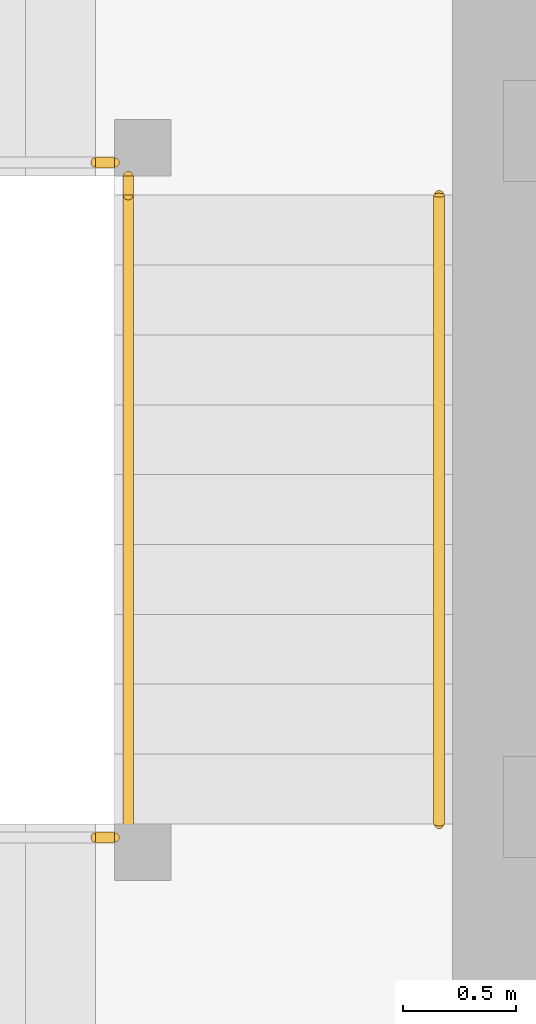
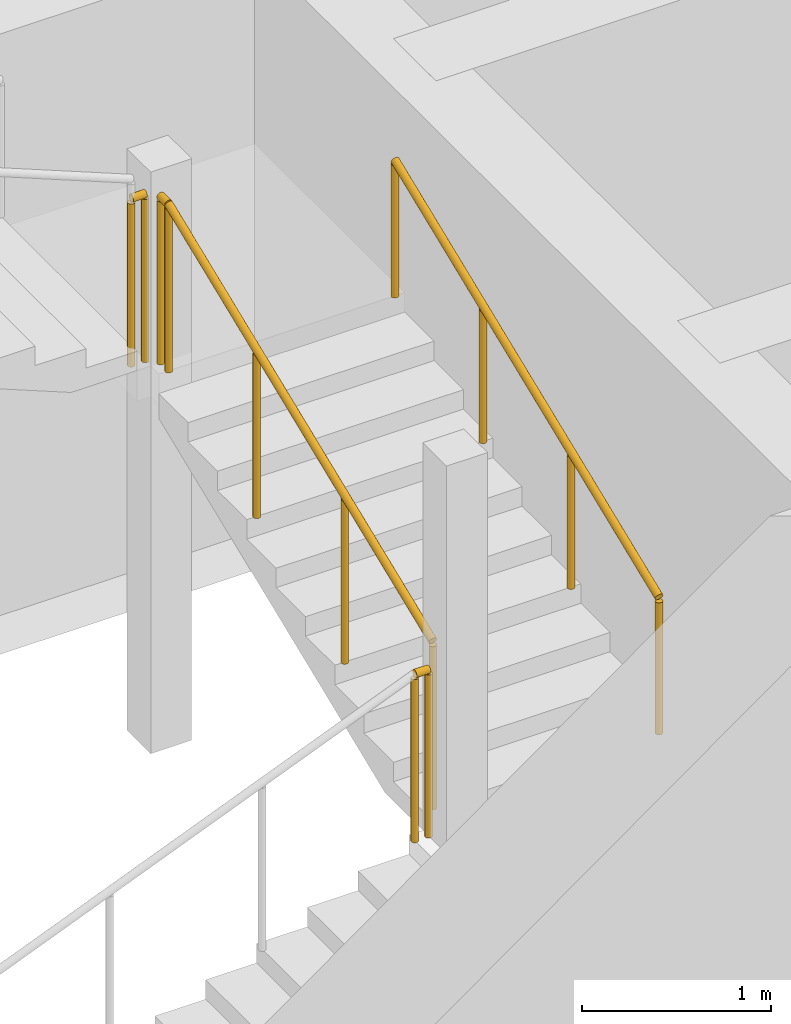
# One storey, part 36 of 40: 5 railings.
"""IFC4 building model written with IfcOpenShell, lengths in metres."""

import ifcopenshell
import ifcopenshell.guid

model = None  # the IFC model being written
_history = None  # IfcOwnerHistory: only IFC2X3 demands one
_inside = {}  # id of a spatial element -> (the spatial element, [elements in it])
_under = {}  # id of a project, library or spatial element -> (it, [spatial elements below it])
_declared = {}  # id of a project -> (the project, [libraries it declares])
_typed = {}  # id of a type object -> (the type object, [elements of that type])
_made_of = {}  # id of a material, layer set ... -> (it, [elements and type objects made of it])


def new_model(schema):
    """Start an empty IFC model of exactly this schema.

    Asked for "IFC4X3", IfcOpenShell would pick the latest addendum, in which some entities
    have other attributes; the version numbers below select the first issue.
    IFC2X3 requires an IfcOwnerHistory on every rooted entity: one is made here for all.
    """
    global model, _history
    if schema == "IFC4X3":
        model = ifcopenshell.file(schema_version=(4, 3, 0, 0))
    else:
        model = ifcopenshell.file(schema=schema)
    _inside.clear()
    _under.clear()
    _declared.clear()
    _typed.clear()
    _made_of.clear()
    _history = None
    if model.schema == "IFC2X3":
        org = make("IfcOrganization", Name="unknown")
        user = make(
            "IfcPersonAndOrganization",
            ThePerson=make("IfcPerson", FamilyName="unknown"),
            TheOrganization=org,
        )
        app = make(
            "IfcApplication",
            ApplicationDeveloper=org,
            Version="unknown",
            ApplicationFullName="unknown",
            ApplicationIdentifier="unknown",
        )
        _history = make(
            "IfcOwnerHistory",
            OwningUser=user,
            OwningApplication=app,
            ChangeAction="ADDED",
            CreationDate=0,
        )
    return model


def make(cls, **values):
    """One entity of the class cls with the attributes given. An attribute that is None is left unset."""
    return model.create_entity(
        cls, **{name: value for name, value in values.items() if value is not None}
    )


def rooted(cls, **values):
    """An entity with a GlobalId (a new one), such as an element, a storey or a relation."""
    return make(cls, GlobalId=ifcopenshell.guid.new(), OwnerHistory=_history, **values)


def si_unit(unit_type, name, prefix=None):
    """IfcSIUnit, for example si_unit("LENGTHUNIT", "METRE", prefix="MILLI")."""
    return make("IfcSIUnit", UnitType=unit_type, Prefix=prefix, Name=name)


def assignment(units):
    """IfcUnitAssignment: the units of a project."""
    return None if units is None else make("IfcUnitAssignment", Units=units)


def point(xyz):
    """IfcCartesianPoint."""
    return None if xyz is None else make("IfcCartesianPoint", Coordinates=xyz)


def direction(xyz):
    """IfcDirection."""
    return None if xyz is None else make("IfcDirection", DirectionRatios=xyz)


def frame(location, z_axis=None, x_axis=None):
    """IfcAxis2Placement3D, a coordinate frame: its origin and axes. An axis left out is left unset."""
    return make(
        "IfcAxis2Placement3D",
        Location=point(location),
        Axis=direction(z_axis),
        RefDirection=direction(x_axis),
    )


def frame_2d(location, x_axis=None):
    """IfcAxis2Placement2D, a coordinate frame in the plane: its origin and x axis."""
    return make(
        "IfcAxis2Placement2D", Location=point(location), RefDirection=direction(x_axis)
    )


def origin():
    """The frame at (0, 0, 0) with its axes left unset."""
    return frame((0.0, 0.0, 0.0))


def origin_2d():
    """The frame at (0, 0) in the plane with its x axis left unset."""
    return frame_2d((0.0, 0.0))


def place(relative_to, where):
    """IfcLocalPlacement: puts the frame where relative to a parent placement (None: the world)."""
    return make(
        "IfcLocalPlacement", PlacementRelTo=relative_to, RelativePlacement=where
    )


def context(
    kind, dimensions, precision=None, world=None, true_north=None, identifier=None
):
    """IfcGeometricRepresentationContext, for example the 3D "Model" context."""
    return make(
        "IfcGeometricRepresentationContext",
        ContextIdentifier=identifier,
        ContextType=kind,
        CoordinateSpaceDimension=dimensions,
        Precision=precision,
        WorldCoordinateSystem=world,
        TrueNorth=true_north,
    )


def subcontext(parent, identifier, kind, view, scale=None):
    """IfcGeometricRepresentationSubContext, for example "Body" below "Model"."""
    return make(
        "IfcGeometricRepresentationSubContext",
        ContextIdentifier=identifier,
        ContextType=kind,
        ParentContext=parent,
        TargetScale=scale,
        TargetView=view,
    )


def project(units=None, contexts=None):
    """IfcProject with its units and contexts."""
    return rooted(
        "IfcProject",
        Name="project",
        RepresentationContexts=contexts,
        UnitsInContext=assignment(units),
    )


def spatial(cls, under=None, at=None, **own):
    """A site, building, storey or space (cls), placed at a placement, below another one or the project."""
    s = rooted(cls, ObjectPlacement=at, **own)
    if under is not None:
        _under.setdefault(under.id(), (under, []))[1].append(s)
    return s


def profile(cls, at=None, kind="AREA", **sizes):
    """A parametric profile (cls). Its sizes go by their IFC names, for example OverallWidth=200.0."""
    return make(cls, ProfileType=kind, Position=at, **sizes)


def circle(**sizes):
    """IfcCircleProfileDef."""
    return profile("IfcCircleProfileDef", **sizes)


def extrude(swept, where, along, depth):
    """IfcExtrudedAreaSolid: the profile swept, set in the frame where, extruded along a direction by depth."""
    return make(
        "IfcExtrudedAreaSolid",
        SweptArea=swept,
        Position=where,
        ExtrudedDirection=direction(along),
        Depth=depth,
    )


def shape(context_of_items, identifier, shape_type, items):
    """IfcShapeRepresentation: the items that make up one representation, for example the "Body"."""
    return make(
        "IfcShapeRepresentation",
        ContextOfItems=context_of_items,
        RepresentationIdentifier=identifier,
        RepresentationType=shape_type,
        Items=items,
    )


def material(Name=None, Category=None):
    """IfcMaterial."""
    return make("IfcMaterial", Name=Name, Category=Category)


def made_of(thing, what):
    """Note that an element or type object is made of a material, layer set ...; save() writes the relation."""
    if what is not None:
        _made_of.setdefault(what.id(), (what, []))[1].append(thing)
    return thing


def type_object(cls, material=None, **own):
    """A type object (cls), such as IfcWallType, which elements share."""
    return made_of(rooted(cls, **own), material)


def element(
    cls,
    number,
    at=None,
    inside=None,
    cuts=None,
    type_object=None,
    material=None,
    context=None,
    identifier="Body",
    shape_type=None,
    held_by="IfcProductDefinitionShape",
    body=None,
    shapes=None,
    **own,
):
    """One element of the class cls, such as IfcWall. Its Tag is "e" and its number.

    at: its placement. inside: the storey or other place that contains it. cuts: it is an
    opening in that element (IfcRelVoidsElement). A single representation is given by context,
    identifier, shape_type and body (its items); several are given by shapes. held_by: the class
    of the entity that holds the representations. save() writes the other relations.
    """
    e = rooted(cls, Tag="e%d" % number, ObjectPlacement=at, **own)
    if body is not None:
        shapes = [shape(context, identifier, shape_type, body)]
    if shapes is not None:
        e.Representation = make(held_by, Representations=shapes)
    if inside is not None:
        _inside.setdefault(inside.id(), (inside, []))[1].append(e)
    if cuts is not None:
        rooted(
            "IfcRelVoidsElement", RelatingBuildingElement=cuts, RelatedOpeningElement=e
        )
    if type_object is not None:
        _typed.setdefault(type_object.id(), (type_object, []))[1].append(e)
    return made_of(e, material)


def aggregate(whole, parts):
    """IfcRelAggregates: a whole, such as a stair, and the parts it consists of."""
    return rooted("IfcRelAggregates", RelatingObject=whole, RelatedObjects=parts)


def save(model, path):
    """Write the relations noted so far, then the file.

    IfcRelAggregates (storeys below a building ...), IfcRelContainedInSpatialStructure (elements
    in a storey), IfcRelDefinesByType, IfcRelAssociatesMaterial and IfcRelDeclares: one each for
    every whole, place, type object, material and project.
    """
    for whole, parts in _under.values():
        aggregate(whole, parts)
    for where, things in _inside.values():
        rooted(
            "IfcRelContainedInSpatialStructure",
            RelatedElements=things,
            RelatingStructure=where,
        )
    for kind, things in _typed.values():
        rooted("IfcRelDefinesByType", RelatedObjects=things, RelatingType=kind)
    for what, things in _made_of.values():
        rooted("IfcRelAssociatesMaterial", RelatedObjects=things, RelatingMaterial=what)
    for by, libraries in _declared.values():
        rooted("IfcRelDeclares", RelatingContext=by, RelatedDefinitions=libraries)
    model.write(path)


model = new_model("IFC4")

# Units and contexts
model_context = context("Model", 3, precision=1e-05, world=origin(), true_north=direction((0.0, 1.0)))
body_context = subcontext(model_context, "Body", "Model", "MODEL_VIEW")
ifc_project = project(units=[si_unit("LENGTHUNIT", "METRE"), si_unit("AREAUNIT", "SQUARE_METRE"), si_unit("VOLUMEUNIT", "CUBIC_METRE"), si_unit("PLANEANGLEUNIT", "RADIAN"), si_unit("MASSUNIT", "GRAM", prefix="KILO")], contexts=[model_context])

# Site, building, storey
site_placement = place(None, origin())
site = spatial("IfcSite", under=ifc_project, at=site_placement, CompositionType="ELEMENT")
building_placement = place(site_placement, origin())
building = spatial("IfcBuilding", under=site, at=building_placement, Name="Rekha Terrace Tower", CompositionType="ELEMENT")
storey_placement = place(building_placement, frame((0.0, 0.0, 110.300048828125)))
storey = spatial("IfcBuildingStorey", under=building, at=storey_placement, Name="L27", CompositionType="ELEMENT", Elevation=110.300048828125)

# Railings
ifc_material_1 = material(Name="Stainless steel balustrade", Category="steel")
railing_type_1 = type_object("IfcRailingType", Name="GR1 1100 stair guard", PredefinedType="GUARDRAIL", material=ifc_material_1)
railing_1_placement = place(storey_placement, frame((30.135009765625, 41.324951171875, 1.375)))
element("IfcRailing", 1, at=railing_1_placement, inside=storey, type_object=railing_type_1, Name="Guard ST4 L27 flight 2", PredefinedType="GUARDRAIL", context=body_context, shape_type="SweptSolid", body=[
    extrude(circle(Radius=0.02392578125, at=origin_2d()), frame((0.0, 0.0, 1.076171875), z_axis=(0.0, 0.927443287984, 0.373963831907), x_axis=(-1.0, 0.0, 0.0)), (0.0, 0.0, 1.0), 3.00830078125),
    extrude(circle(Radius=0.02099609375, at=origin_2d()), origin(), (0.0, 0.0, 1.0), 1.052001953125),
    extrude(circle(Radius=0.02099609375, at=origin_2d()), frame((0.0, 0.929931640625, 0.375)), (0.0, 0.0, 1.0), 1.052001953125),
    extrude(circle(Radius=0.02099609375, at=origin_2d()), frame((0.0, 1.860107421875, 0.75)), (0.0, 0.0, 1.0), 1.052001953125),
    extrude(circle(Radius=0.02099609375, at=origin_2d()), frame((0.0, 2.7900390625, 1.125)), (0.0, 0.0, 1.0), 1.052001953125),
])
railing_2_placement = place(storey_placement, frame((29.989990234375, 41.264892578125, 1.25)))
element("IfcRailing", 2, at=railing_2_placement, inside=storey, type_object=railing_type_1, Name="Guard ST4 L27 landing 1", PredefinedType="GUARDRAIL", context=body_context, shape_type="SweptSolid", body=[
    extrude(circle(Radius=0.02392578125, at=origin_2d()), frame((0.0, 0.0, 1.076171875), z_axis=(1.0, 0.0, 0.0), x_axis=(0.0, 1.0, 0.0)), (0.0, 0.0, 1.0), 0.0849609375),
    extrude(circle(Radius=0.02099609375, at=origin_2d()), origin(), (0.0, 0.0, 1.0), 1.052001953125),
    extrude(circle(Radius=0.02099609375, at=origin_2d()), frame((0.0849609375, 0.0, 0.0)), (0.0, 0.0, 1.0), 1.052001953125),
])
railing_3_placement = place(storey_placement, frame((30.135009765625, 44.114990234375, 2.5)))
element("IfcRailing", 3, at=railing_3_placement, inside=storey, type_object=railing_type_1, Name="Guard ST4 L27 landing 2", PredefinedType="GUARDRAIL", context=body_context, shape_type="SweptSolid", body=[
    extrude(circle(Radius=0.02392578125, at=origin_2d()), frame((0.0, 0.0, 1.076171875), z_axis=(0.0, 1.0, 0.0), x_axis=(-1.0, 0.0, 0.0)), (0.0, 0.0, 1.0), 0.0849609375),
    extrude(circle(Radius=0.02099609375, at=origin_2d()), origin(), (0.0, 0.0, 1.0), 1.052001953125),
    extrude(circle(Radius=0.02099609375, at=origin_2d()), frame((0.0, 0.0849609375, 0.0)), (0.0, 0.0, 1.0), 1.052001953125),
])
railing_4_placement = place(storey_placement, frame((29.989990234375, 44.260009765625, 2.5)))
element("IfcRailing", 4, at=railing_4_placement, inside=storey, type_object=railing_type_1, Name="Guard ST4 L27 landing 3", PredefinedType="GUARDRAIL", context=body_context, shape_type="SweptSolid", body=[
    extrude(circle(Radius=0.02392578125, at=origin_2d()), frame((0.0, 0.0, 1.076171875), z_axis=(1.0, 0.0, 0.0), x_axis=(0.0, 1.0, 0.0)), (0.0, 0.0, 1.0), 0.0849609375),
    extrude(circle(Radius=0.02099609375, at=origin_2d()), origin(), (0.0, 0.0, 1.0), 1.052001953125),
    extrude(circle(Radius=0.02099609375, at=origin_2d()), frame((0.0849609375, 0.0, 0.0)), (0.0, 0.0, 1.0), 1.052001953125),
])
ifc_material_2 = material(Name="Stainless steel tube", Category="steel")
railing_type_2 = type_object("IfcRailingType", Name="HR1 900 stair handrail", PredefinedType="HANDRAIL", material=ifc_material_2)
railing_5_placement = place(storey_placement, frame((31.514892578125, 41.324951171875, 1.375)))
element("IfcRailing", 5, at=railing_5_placement, inside=storey, type_object=railing_type_2, Name="Handrail ST4 L27 flight 2", PredefinedType="HANDRAIL", context=body_context, shape_type="SweptSolid", body=[
    extrude(circle(Radius=0.02392578125, at=origin_2d()), frame((0.0, 0.0, 0.8759765625), z_axis=(0.0, 0.927443287984, 0.373963831907), x_axis=(-1.0, 0.0, 0.0)), (0.0, 0.0, 1.0), 3.00830078125),
    extrude(circle(Radius=0.02099609375, at=origin_2d()), origin(), (0.0, 0.0, 1.0), 0.851806640625),
    extrude(circle(Radius=0.02099609375, at=origin_2d()), frame((0.0, 0.929931640625, 0.375)), (0.0, 0.0, 1.0), 0.851806640625),
    extrude(circle(Radius=0.02099609375, at=origin_2d()), frame((0.0, 1.860107421875, 0.75)), (0.0, 0.0, 1.0), 0.851806640625),
    extrude(circle(Radius=0.02099609375, at=origin_2d()), frame((0.0, 2.7900390625, 1.125)), (0.0, 0.0, 1.0), 0.851806640625),
])

save(model, "model.ifc")
